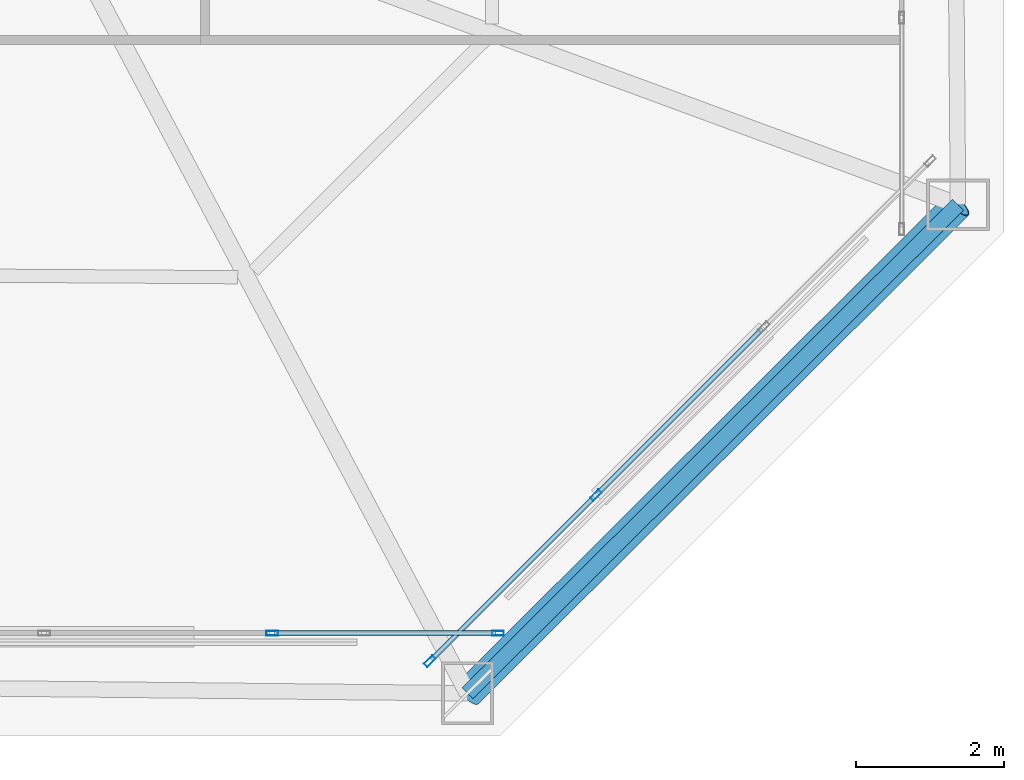
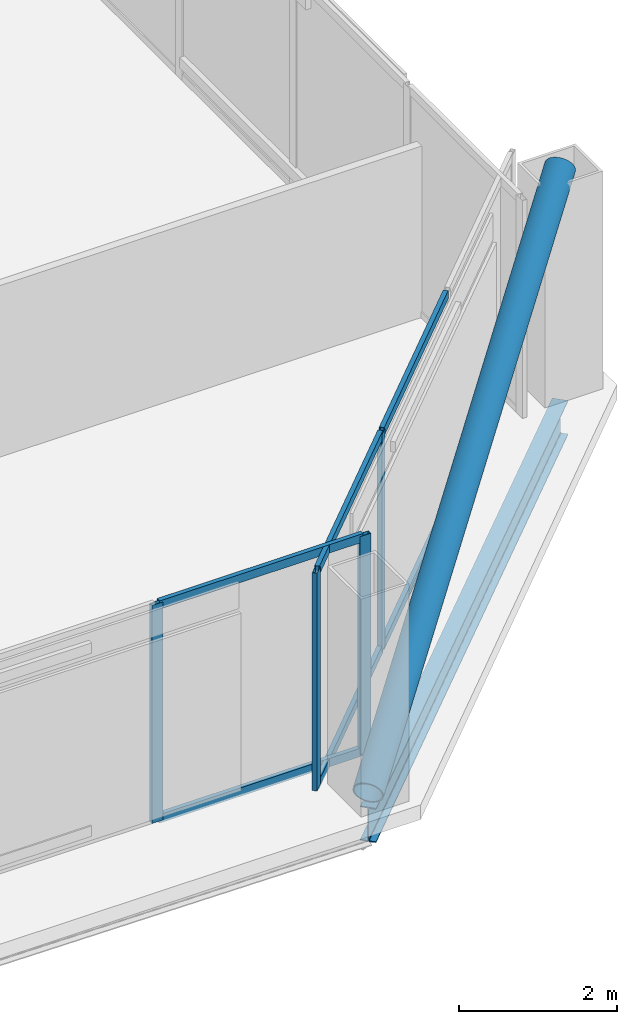
# One storey, part 18 of 39: 11 members, 1 beam, 2 elements without a shape of their own.
"""IFC4 building model written with IfcOpenShell, lengths in metres."""

from ifc_helpers import new_model, si_unit, direction, frame, origin, origin_2d, place, context, subcontext, project, spatial, hollow_rectangle, hollow_circle, i_section, extrude, material, layer, layer_set, material_profile, profile_set, type_object, element, aggregate, save


model = new_model("IFC4")

# Units and contexts
model_context = context("Model", 3, precision=1e-05, world=origin(), true_north=direction((0.0, 1.0)))
body_context = subcontext(model_context, "Body", "Model", "MODEL_VIEW")
ifc_project = project(units=[si_unit("LENGTHUNIT", "METRE"), si_unit("AREAUNIT", "SQUARE_METRE"), si_unit("VOLUMEUNIT", "CUBIC_METRE"), si_unit("PLANEANGLEUNIT", "RADIAN"), si_unit("MASSUNIT", "GRAM", prefix="KILO")], contexts=[model_context])

# Site, building, storey
site_placement = place(None, origin())
site = spatial("IfcSite", under=ifc_project, at=site_placement, CompositionType="ELEMENT")
building_placement = place(site_placement, origin())
building = spatial("IfcBuilding", under=site, at=building_placement, Name="Caelvoria Tower", CompositionType="ELEMENT")
storey_placement = place(building_placement, frame((0.0, 0.0, 198.60009765625)))
storey = spatial("IfcBuildingStorey", under=building, at=storey_placement, Name="L52", CompositionType="ELEMENT", Elevation=198.60009765625)

# Curtain wall, members
ifc_material_1 = material(Name="Anodised Bronze Aluminium and Low-E Glass", Category="aluminium")
ifc_layer = layer(ifc_material_1, 0.175048828125, Name="Anodised Bronze Aluminium and Low-E Glass")
ifc_layer_set = layer_set([ifc_layer], Name="CW System 4 High-Zone Tapered Crystal Facade - Anodised Bronze Aluminium and Low-E Glass")
curtain_wall_type = type_object("IfcCurtainWallType", Name="CW System 4 High-Zone Tapered Crystal Facade", PredefinedType="NOTDEFINED", material=ifc_layer_set)
curtain_wall_1_placement = place(storey_placement, origin())
curtain_wall_1 = element("IfcCurtainWall", 1, at=curtain_wall_1_placement, inside=storey, type_object=curtain_wall_type, Name="CW-04 Curtain Wall L52-E0", PredefinedType="NOTDEFINED")
ifc_material_2 = material(Name="Anodised Bronze Architectural Aluminium", Category="aluminium")
ifc_material_profile_1 = material_profile(ifc_material_2, hollow_rectangle(XDim=0.06494140625, YDim=0.159912109375, WallThickness=0.00390625, at=origin_2d()), Name="Anodised Bronze Architectural Aluminium")
ifc_profile_set_1 = profile_set([ifc_material_profile_1], Name="CW_MULL_65X160 - Anodised Bronze Architectural Aluminium")
member_type_1 = type_object("IfcMemberType", Name="Curtain Wall Mullion 65x160 Bronze Aluminium", PredefinedType="MULLION", material=ifc_profile_set_1)
member_1_placement = place(storey_placement, frame((58.320068359375, 13.580078125, 0.0), z_axis=(0.0, 0.0, 1.0), x_axis=(0.0, 1.0, 0.0)))
member_1 = element("IfcMember", 2, at=member_1_placement, type_object=member_type_1, Name="CW-04 mullion 10", PredefinedType="MULLION", context=body_context, shape_type="SweptSolid", body=[
    extrude(hollow_rectangle(XDim=0.06494140625, YDim=0.159912109375, WallThickness=0.00390625, at=origin_2d()), origin(), (0.0, 0.0, 1.0), 3.375),
])
member_2_placement = place(storey_placement, frame((61.367431640625, 13.580078125, 0.0), z_axis=(0.0, 0.0, 1.0), x_axis=(0.0, 1.0, 0.0)))
member_2 = element("IfcMember", 3, at=member_2_placement, type_object=member_type_1, Name="CW-04 mullion 11", PredefinedType="MULLION", context=body_context, shape_type="SweptSolid", body=[
    extrude(hollow_rectangle(XDim=0.06494140625, YDim=0.159912109375, WallThickness=0.00390625, at=origin_2d()), origin(), (0.0, 0.0, 1.0), 3.375),
])

curtain_wall_2_placement = place(storey_placement, origin())
curtain_wall_2 = element("IfcCurtainWall", 4, at=curtain_wall_2_placement, inside=storey, type_object=curtain_wall_type, Name="CW-04 Curtain Wall L52-E1", PredefinedType="NOTDEFINED")
member_3_placement = place(storey_placement, frame((60.447265625, 13.19873046875, 0.0), z_axis=(0.0, 0.0, 1.0), x_axis=(-0.707106781187, 0.707106781187, 0.0)))
member_3 = element("IfcMember", 5, at=member_3_placement, type_object=member_type_1, Name="CW-04 mullion 1", PredefinedType="MULLION", context=body_context, shape_type="SweptSolid", body=[
    extrude(hollow_rectangle(XDim=0.06494140625, YDim=0.159912109375, WallThickness=0.00390625, at=origin_2d()), origin(), (0.0, 0.0, 1.0), 3.375),
])
member_4_placement = place(storey_placement, frame((62.69091796875, 15.4423828125, 0.0), z_axis=(0.0, 0.0, 1.0), x_axis=(-0.707106781187, 0.707106781187, 0.0)))
member_4 = element("IfcMember", 6, at=member_4_placement, type_object=member_type_1, Name="CW-04 mullion 2", PredefinedType="MULLION", context=body_context, shape_type="SweptSolid", body=[
    extrude(hollow_rectangle(XDim=0.06494140625, YDim=0.159912109375, WallThickness=0.00390625, at=origin_2d()), origin(), (0.0, 0.0, 1.0), 3.375),
])

# Member
ifc_material_profile_2 = material_profile(ifc_material_2, hollow_rectangle(XDim=0.06494140625, YDim=0.1298828125, WallThickness=0.00341796875, at=origin_2d()), Name="Anodised Bronze Architectural Aluminium")
ifc_profile_set_2 = profile_set([ifc_material_profile_2], Name="CW_TRAN_65X130 - Anodised Bronze Architectural Aluminium")
member_type_2 = type_object("IfcMemberType", Name="Curtain Wall Transom 65x130 Bronze Aluminium", PredefinedType="USERDEFINED", material=ifc_profile_set_2)
member_5_placement = place(storey_placement, frame((58.3525390625, 13.580078125, 0.032470703125), z_axis=(1.0, 0.0, 0.0), x_axis=(0.0, 1.0, 0.0)))
member_5 = element("IfcMember", 7, at=member_5_placement, type_object=member_type_2, Name="CW-04 transom 10.1", ObjectType="TRANSOM", PredefinedType="USERDEFINED", context=body_context, shape_type="SweptSolid", body=[
    extrude(hollow_rectangle(XDim=0.06494140625, YDim=0.1298828125, WallThickness=0.00341796875, at=origin_2d()), origin(), (0.0, 0.0, 1.0), 2.982421875),
])

member_6_placement = place(storey_placement, frame((58.3525390625, 13.580078125, 3.34228515625), z_axis=(1.0, 0.0, 0.0), x_axis=(0.0, 1.0, 0.0)))
member_6 = element("IfcMember", 8, at=member_6_placement, type_object=member_type_2, Name="CW-04 transom 10.2", ObjectType="TRANSOM", PredefinedType="USERDEFINED", context=body_context, shape_type="SweptSolid", body=[
    extrude(hollow_rectangle(XDim=0.06494140625, YDim=0.1298828125, WallThickness=0.00341796875, at=origin_2d()), origin(), (0.0, 0.0, 1.0), 2.982421875),
])

aggregate(curtain_wall_1, [member_1, member_2, member_5, member_6])

member_7_placement = place(storey_placement, frame((60.47021484375, 13.2216796875, 0.032470703125), z_axis=(0.707106781187, 0.707106781187, 0.0), x_axis=(-0.707106781187, 0.707106781187, 0.0)))
member_7 = element("IfcMember", 9, at=member_7_placement, type_object=member_type_2, Name="CW-04 transom 1.1", ObjectType="TRANSOM", PredefinedType="USERDEFINED", context=body_context, shape_type="SweptSolid", body=[
    extrude(hollow_rectangle(XDim=0.06494140625, YDim=0.1298828125, WallThickness=0.00341796875, at=origin_2d()), origin(), (0.0, 0.0, 1.0), 3.108154296875),
])

member_8_placement = place(storey_placement, frame((60.47021484375, 13.2216796875, 3.34228515625), z_axis=(0.707106781187, 0.707106781187, 0.0), x_axis=(-0.707106781187, 0.707106781187, 0.0)))
member_8 = element("IfcMember", 10, at=member_8_placement, type_object=member_type_2, Name="CW-04 transom 1.2", ObjectType="TRANSOM", PredefinedType="USERDEFINED", context=body_context, shape_type="SweptSolid", body=[
    extrude(hollow_rectangle(XDim=0.06494140625, YDim=0.1298828125, WallThickness=0.00341796875, at=origin_2d()), origin(), (0.0, 0.0, 1.0), 3.108154296875),
])

member_9_placement = place(storey_placement, frame((62.7138671875, 15.46533203125, 0.032470703125), z_axis=(0.707106781187, 0.707106781187, 0.0), x_axis=(-0.707106781187, 0.707106781187, 0.0)))
member_9 = element("IfcMember", 11, at=member_9_placement, type_object=member_type_2, Name="CW-04 transom 2.1", ObjectType="TRANSOM", PredefinedType="USERDEFINED", context=body_context, shape_type="SweptSolid", body=[
    extrude(hollow_rectangle(XDim=0.06494140625, YDim=0.1298828125, WallThickness=0.00341796875, at=origin_2d()), origin(), (0.0, 0.0, 1.0), 3.140625),
])

member_10_placement = place(storey_placement, frame((62.7138671875, 15.46533203125, 3.34228515625), z_axis=(0.707106781187, 0.707106781187, 0.0), x_axis=(-0.707106781187, 0.707106781187, 0.0)))
member_10 = element("IfcMember", 12, at=member_10_placement, type_object=member_type_2, Name="CW-04 transom 2.2", ObjectType="TRANSOM", PredefinedType="USERDEFINED", context=body_context, shape_type="SweptSolid", body=[
    extrude(hollow_rectangle(XDim=0.06494140625, YDim=0.1298828125, WallThickness=0.00341796875, at=origin_2d()), origin(), (0.0, 0.0, 1.0), 3.140625),
])

aggregate(curtain_wall_2, [member_3, member_4, member_7, member_8, member_9, member_10])

ifc_material_3 = material(Name="Structural Steel ASTM A572 Gr.50", Category="steel")
ifc_material_profile_3 = material_profile(ifc_material_3, hollow_circle(Radius=0.202880859375, WallThickness=0.01611328125, at=origin_2d()), Name="Structural Steel ASTM A572 Gr.50")
ifc_profile_set_3 = profile_set([ifc_material_profile_3], Name="CHS406X16 - Structural Steel ASTM A572 Gr.50")
member_type_3 = type_object("IfcMemberType", Name="Upper Perimeter Mega Brace CHS406X16", PredefinedType="BRACE", material=ifc_profile_set_3)
member_11_placement = place(storey_placement, frame((60.9580078125, 12.768310546875, 0.0), z_axis=(0.666328317431, 0.663797459082, 0.339675590389), x_axis=(-0.705760076664, 0.708450925744, 0.0)))
element("IfcMember", 13, at=member_11_placement, inside=storey, type_object=member_type_3, Name="Perimeter Chamfer Mega Brace L52 SE", PredefinedType="BRACE", context=body_context, shape_type="SweptSolid", body=[
    extrude(hollow_circle(Radius=0.202880859375, WallThickness=0.01611328125, at=origin_2d()), origin(), (0.0, 0.0, 1.0), 9.93603515625),
])

# Beam
ifc_material_4 = material(Name="Structural Steel ASTM A992 Gr.50", Category="steel")
ifc_material_profile_4 = material_profile(ifc_material_4, i_section(OverallWidth=0.208984375, OverallDepth=0.532958984375, WebThickness=0.01025390625, FlangeThickness=0.015625, FilletRadius=0.01611328125, at=origin_2d()), Name="Structural Steel ASTM A992 Gr.50")
ifc_profile_set_4 = profile_set([ifc_material_profile_4], Name="W530X92 - Structural Steel ASTM A992 Gr.50")
beam_type = type_object("IfcBeamType", Name="Upper Zone Spandrel W530X92", PredefinedType="BEAM", material=ifc_profile_set_4)
beam_placement = place(storey_placement, frame((60.9580078125, 12.768310546875, -0.49169921875), z_axis=(0.708450925744, 0.705760076664, 0.0), x_axis=(-0.705760076664, 0.708450925744, 0.0)))
element("IfcBeam", 14, at=beam_placement, inside=storey, type_object=beam_type, Name="Perimeter Spandrel Girder L52-02", PredefinedType="BEAM", context=body_context, shape_type="SweptSolid", body=[
    extrude(i_section(OverallWidth=0.208984375, OverallDepth=0.532958984375, WebThickness=0.01025390625, FlangeThickness=0.015625, FilletRadius=0.01611328125, at=origin_2d()), origin(), (0.0, 0.0, 1.0), 9.34521484375),
])

save(model, "model.ifc")
